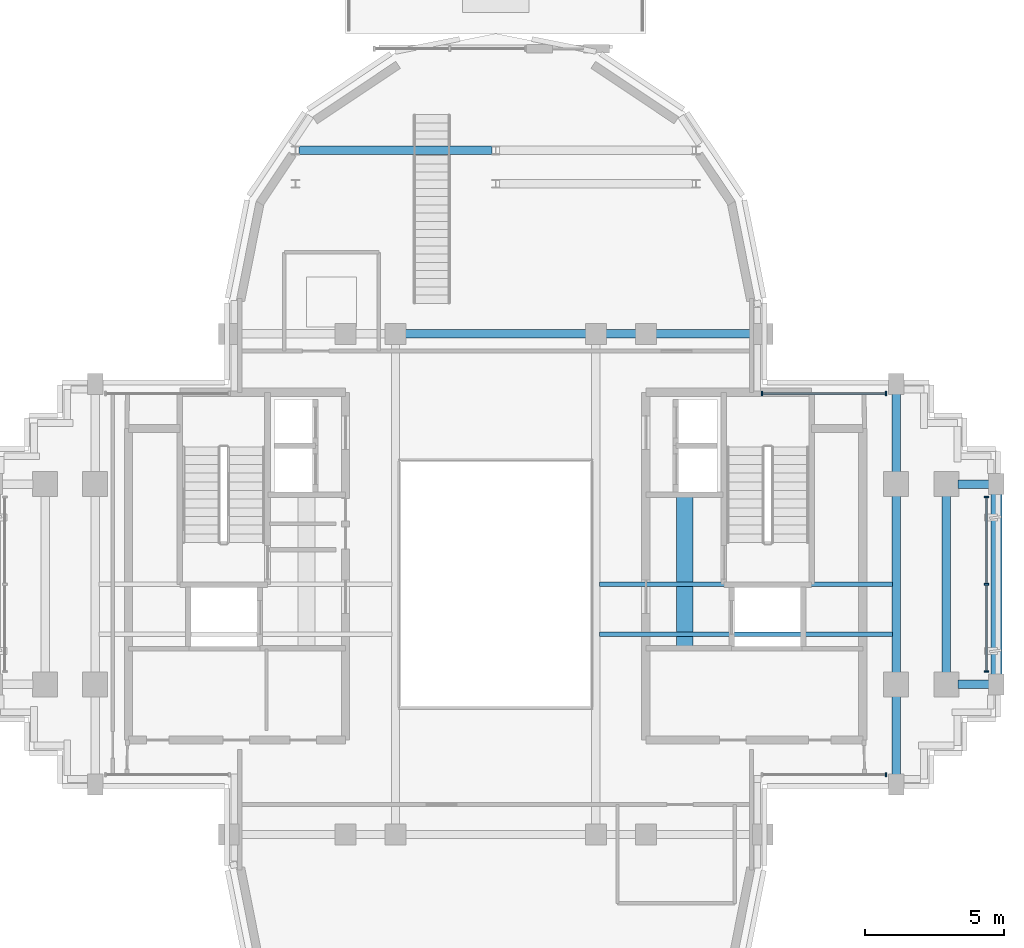
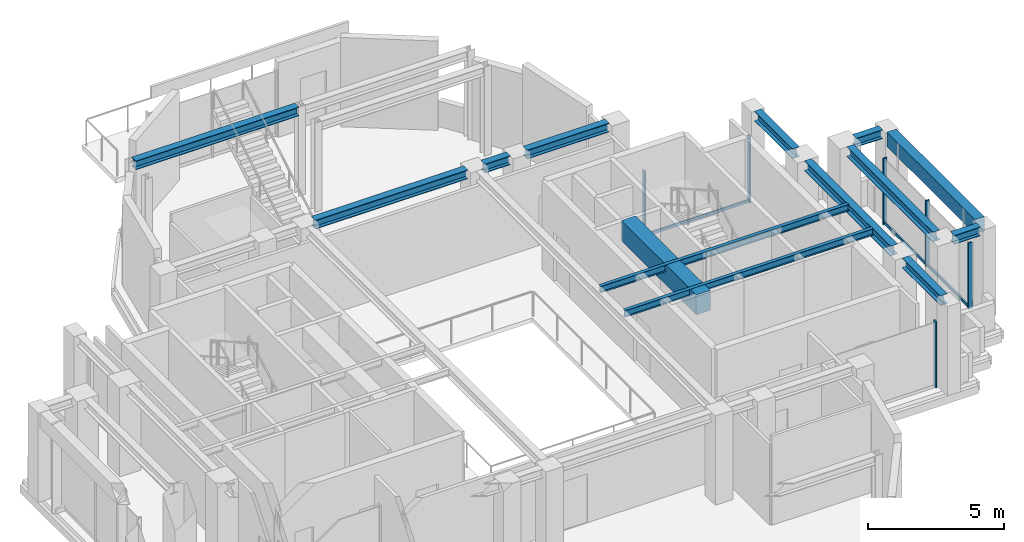
# One storey, part 5 of 14: 14 beams, 9 members, 3 elements without a shape of their own.
"""IFC4 building model written with IfcOpenShell, lengths in metres."""

from ifc_helpers import new_model, si_unit, direction, frame, origin, origin_2d, place, context, subcontext, project, spatial, rectangle, i_section, extrude, source, transform, mapped, material, material_profile, profile_set, type_object, element, aggregate, save


model = new_model("IFC4")

# Units and contexts
model_context = context("Model", 3, precision=1e-05, world=origin(), true_north=direction((0.0, 1.0)))
body_context = subcontext(model_context, "Body", "Model", "MODEL_VIEW")
ifc_project = project(units=[si_unit("LENGTHUNIT", "METRE"), si_unit("AREAUNIT", "SQUARE_METRE"), si_unit("VOLUMEUNIT", "CUBIC_METRE"), si_unit("PLANEANGLEUNIT", "RADIAN"), si_unit("MASSUNIT", "GRAM", prefix="KILO")], contexts=[model_context])

# Site, building, storey
site_placement = place(None, origin())
site = spatial("IfcSite", under=ifc_project, at=site_placement, CompositionType="ELEMENT")
building_placement = place(site_placement, origin())
building = spatial("IfcBuilding", under=site, at=building_placement, Name="Keilestroom Media Tower", CompositionType="ELEMENT")
storey_placement = place(building_placement, frame((0.0, 0.0, 219.39990234375)))
storey = spatial("IfcBuildingStorey", under=building, at=storey_placement, Name="L60", CompositionType="ELEMENT", Elevation=219.39990234375)

# Beams
ifc_material_1 = material(Name="Concrete C70/85", Category="concrete")
ifc_material_profile_1 = material_profile(ifc_material_1, rectangle(XDim=0.60009765625, YDim=0.89990234375, at=origin_2d()), Name="RC 600x900")
ifc_profile_set_1 = profile_set([ifc_material_profile_1], Name="Concrete C70/85")
beam_type_1 = type_object("IfcBeamType", Name="Core-Coupling-Lintel-Beam-RC-600x900", PredefinedType="LINTEL", material=ifc_profile_set_1)
shared_shape_1 = source(origin(), body_context, "Body", "SweptSolid", [
    extrude(rectangle(XDim=0.60009765625, YDim=0.89990234375, at=origin_2d()), origin(), (0.0, 0.0, 1.0), 5.52001953125),
])
beam_1_placement = place(storey_placement, frame((6.800048828125, -2.300048828125, 3.56005859375), z_axis=(0.0, 1.0, 0.0), x_axis=(-1.0, 0.0, 0.0)))
element("IfcBeam", 1, at=beam_1_placement, inside=storey, type_object=beam_type_1, Name="L60 Beam CLB-1 CLB-L60-E", PredefinedType="LINTEL", context=body_context, shape_type="MappedRepresentation", body=[
    mapped(shared_shape_1, transform((0.0, 0.0, 0.0), x_axis=(1.0, 0.0, 0.0), y_axis=(0.0, 1.0, 0.0), z_axis=(0.0, 0.0, 1.0), scale=1.0)),
])
ifc_material_2 = material(Name="Steel S355", Category="steel")
ifc_material_profile_2 = material_profile(ifc_material_2, i_section(OverallWidth=0.300048828125, OverallDepth=0.39990234375, WebThickness=0.011474609375, FlangeThickness=0.02392578125, at=origin_2d()), Name="HEB 400")
ifc_profile_set_2 = profile_set([ifc_material_profile_2], Name="Steel S355")
beam_type_2 = type_object("IfcBeamType", Name="Primary-Structural-Girder-HEB-400", PredefinedType="BEAM", material=ifc_profile_set_2)
shared_shape_2 = source(origin(), body_context, "Body", "SweptSolid", [
    extrude(i_section(OverallWidth=0.300048828125, OverallDepth=0.39990234375, WebThickness=0.011474609375, FlangeThickness=0.02392578125, at=origin_2d()), origin(), (0.0, 0.0, 1.0), 6.940185546875),
])
beam_2_placement = place(storey_placement, frame((-7.070068359375, 15.60009765625, 3.81005859375), z_axis=(1.0, 0.0, 0.0), x_axis=(0.0, 1.0, 0.0)))
element("IfcBeam", 2, at=beam_2_placement, inside=storey, type_object=beam_type_2, Name="L60 Beam BG-8 BM-L60-EW-023", PredefinedType="BEAM", context=body_context, shape_type="MappedRepresentation", body=[
    mapped(shared_shape_2, transform((0.0, 0.0, 0.0), x_axis=(1.0, 0.0, 0.0), y_axis=(0.0, 1.0, 0.0), z_axis=(0.0, 0.0, 1.0), scale=1.0)),
])
shared_shape_3 = source(origin(), body_context, "Body", "SweptSolid", [
    extrude(i_section(OverallWidth=0.300048828125, OverallDepth=0.39990234375, WebThickness=0.011474609375, FlangeThickness=0.02392578125, at=origin_2d()), origin(), (0.0, 0.0, 1.0), 3.490234375),
])
beam_3_placement = place(storey_placement, frame((5.7548828125, 9.0, 3.81005859375), z_axis=(1.0, 0.0, 0.0), x_axis=(0.0, 1.0, 0.0)))
element("IfcBeam", 3, at=beam_3_placement, inside=storey, type_object=beam_type_2, Name="L60 Beam BG-8 BM-L60-EW-020", PredefinedType="BEAM", context=body_context, shape_type="MappedRepresentation", body=[
    mapped(shared_shape_3, transform((0.0, 0.0, 0.0), x_axis=(1.0, 0.0, 0.0), y_axis=(0.0, 1.0, 0.0), z_axis=(0.0, 0.0, 1.0), scale=1.0)),
])
shared_shape_4 = source(origin(), body_context, "Body", "SweptSolid", [
    extrude(i_section(OverallWidth=0.300048828125, OverallDepth=0.39990234375, WebThickness=0.011474609375, FlangeThickness=0.02392578125, at=origin_2d()), origin(), (0.0, 0.0, 1.0), 1.08984375),
])
beam_4_placement = place(storey_placement, frame((3.955078125, 9.0, 3.81005859375), z_axis=(1.0, 0.0, 0.0), x_axis=(0.0, 1.0, 0.0)))
element("IfcBeam", 4, at=beam_4_placement, inside=storey, type_object=beam_type_2, Name="L60 Beam BG-8 BM-L60-EW-019", PredefinedType="BEAM", context=body_context, shape_type="MappedRepresentation", body=[
    mapped(shared_shape_4, transform((0.0, 0.0, 0.0), x_axis=(1.0, 0.0, 0.0), y_axis=(0.0, 1.0, 0.0), z_axis=(0.0, 0.0, 1.0), scale=1.0)),
])
shared_shape_5 = source(origin(), body_context, "Body", "SweptSolid", [
    extrude(i_section(OverallWidth=0.300048828125, OverallDepth=0.39990234375, WebThickness=0.011474609375, FlangeThickness=0.02392578125, at=origin_2d()), origin(), (0.0, 0.0, 1.0), 6.490234375),
])
beam_5_placement = place(storey_placement, frame((-3.2451171875, 9.0, 3.81005859375), z_axis=(1.0, 0.0, 0.0), x_axis=(0.0, 1.0, 0.0)))
element("IfcBeam", 5, at=beam_5_placement, inside=storey, type_object=beam_type_2, Name="L60 Beam BG-8 BM-L60-EW-018", PredefinedType="BEAM", context=body_context, shape_type="MappedRepresentation", body=[
    mapped(shared_shape_5, transform((0.0, 0.0, 0.0), x_axis=(1.0, 0.0, 0.0), y_axis=(0.0, 1.0, 0.0), z_axis=(0.0, 0.0, 1.0), scale=1.0)),
])
shared_shape_6 = source(origin(), body_context, "Body", "SweptSolid", [
    extrude(i_section(OverallWidth=0.300048828125, OverallDepth=0.39990234375, WebThickness=0.011474609375, FlangeThickness=0.02392578125, at=origin_2d()), origin(), (0.0, 0.0, 1.0), 1.115234375),
])
for number, where, z_axis, x_axis, name in (
    (6, (16.6298828125, -3.60009765625, 3.81005859375), (1.0, 0.0, 0.0), (0.0, 1.0, 0.0), "L60 Beam BG-8 BM-L60-EW-011"),
    (7, (16.6298828125, 3.60009765625, 3.81005859375), (1.0, 0.0, 0.0), (0.0, 1.0, 0.0), "L60 Beam BG-8 BM-L60-EW-015"),
):
    element("IfcBeam", number, at=place(storey_placement, frame(where, z_axis=z_axis, x_axis=x_axis)), inside=storey, type_object=beam_type_2, Name=name, PredefinedType="BEAM", context=body_context, shape_type="MappedRepresentation", body=[
        mapped(shared_shape_6, transform((0.0, 0.0, 0.0), x_axis=(1.0, 0.0, 0.0), y_axis=(0.0, 1.0, 0.0), z_axis=(0.0, 0.0, 1.0), scale=1.0)),
    ])
ifc_material_3 = material(Name="Precast concrete C40/50", Category="concrete")
ifc_material_profile_3 = material_profile(ifc_material_3, rectangle(XDim=0.39990234375, YDim=0.64990234375, at=origin_2d()), Name="PC 400x650")
ifc_profile_set_3 = profile_set([ifc_material_profile_3], Name="Precast concrete C40/50")
beam_type_3 = type_object("IfcBeamType", Name="Perimeter-Spandrel-Beam-PC-400x650", PredefinedType="SPANDREL", material=ifc_profile_set_3)
shared_shape_7 = source(origin(), body_context, "Body", "SweptSolid", [
    extrude(rectangle(XDim=0.39990234375, YDim=0.64990234375, at=origin_2d()), origin(), (0.0, 0.0, 1.0), 6.490234375),
])
beam_6_placement = place(storey_placement, frame((18.0, -3.2451171875, 3.68505859375), z_axis=(0.0, 1.0, 0.0), x_axis=(-1.0, 0.0, 0.0)))
element("IfcBeam", 8, at=beam_6_placement, inside=storey, type_object=beam_type_3, Name="L60 Beam SPB-2 BM-L60-NS-044", PredefinedType="SPANDREL", context=body_context, shape_type="MappedRepresentation", body=[
    mapped(shared_shape_7, transform((0.0, 0.0, 0.0), x_axis=(1.0, 0.0, 0.0), y_axis=(0.0, 1.0, 0.0), z_axis=(0.0, 0.0, 1.0), scale=1.0)),
])
ifc_material_profile_4 = material_profile(ifc_material_2, i_section(OverallWidth=0.300048828125, OverallDepth=0.43994140625, WebThickness=0.011474609375, FlangeThickness=0.02099609375, at=origin_2d()), Name="HEA 450")
ifc_profile_set_4 = profile_set([ifc_material_profile_4], Name="Steel S355")
beam_type_4 = type_object("IfcBeamType", Name="Primary-Structural-Girder-HEA-450", PredefinedType="BEAM", material=ifc_profile_set_4)
shared_shape_8 = source(origin(), body_context, "Body", "SweptSolid", [
    extrude(i_section(OverallWidth=0.300048828125, OverallDepth=0.43994140625, WebThickness=0.011474609375, FlangeThickness=0.02099609375, at=origin_2d()), origin(), (0.0, 0.0, 1.0), 6.33984375),
])
for number, where, z_axis, x_axis, name in (
    (9, (14.39990234375, -3.169921875, 3.7900390625), (0.0, 1.0, 0.0), (-1.0, 0.0, 0.0), "L60 Beam BG-11 BM-L60-NS-041"),
    (10, (16.199951171875, -3.169921875, 3.7900390625), (0.0, 1.0, 0.0), (-1.0, 0.0, 0.0), "L60 Beam BG-11 BM-L60-NS-043"),
):
    element("IfcBeam", number, at=place(storey_placement, frame(where, z_axis=z_axis, x_axis=x_axis)), inside=storey, type_object=beam_type_4, Name=name, PredefinedType="BEAM", context=body_context, shape_type="MappedRepresentation", body=[
        mapped(shared_shape_8, transform((0.0, 0.0, 0.0), x_axis=(1.0, 0.0, 0.0), y_axis=(0.0, 1.0, 0.0), z_axis=(0.0, 0.0, 1.0), scale=1.0)),
    ])
shared_shape_9 = source(origin(), body_context, "Body", "SweptSolid", [
    extrude(i_section(OverallWidth=0.300048828125, OverallDepth=0.43994140625, WebThickness=0.011474609375, FlangeThickness=0.02099609375, at=origin_2d()), origin(), (0.0, 0.0, 1.0), 2.81494140625),
])
for number, where, z_axis, x_axis, name in (
    (11, (14.39990234375, -6.844970703125, 3.7900390625), (0.0, 1.0, 0.0), (-1.0, 0.0, 0.0), "L60 Beam BG-11 BM-L60-NS-040"),
    (12, (14.39990234375, 4.030029296875, 3.7900390625), (0.0, 1.0, 0.0), (-1.0, 0.0, 0.0), "L60 Beam BG-11 BM-L60-NS-042"),
):
    element("IfcBeam", number, at=place(storey_placement, frame(where, z_axis=z_axis, x_axis=x_axis)), inside=storey, type_object=beam_type_4, Name=name, PredefinedType="BEAM", context=body_context, shape_type="MappedRepresentation", body=[
        mapped(shared_shape_9, transform((0.0, 0.0, 0.0), x_axis=(1.0, 0.0, 0.0), y_axis=(0.0, 1.0, 0.0), z_axis=(0.0, 0.0, 1.0), scale=1.0)),
    ])
ifc_material_profile_5 = material_profile(ifc_material_2, i_section(OverallWidth=0.14990234375, OverallDepth=0.300048828125, WebThickness=0.007080078125, FlangeThickness=0.0107421875, at=origin_2d()), Name="IPE 300")
ifc_profile_set_5 = profile_set([ifc_material_profile_5], Name="Steel S355")
beam_type_5 = type_object("IfcBeamType", Name="Secondary-Floor-Joist-IPE-300", PredefinedType="JOIST", material=ifc_profile_set_5)
shared_shape_10 = source(origin(), body_context, "Body", "SweptSolid", [
    extrude(i_section(OverallWidth=0.14990234375, OverallDepth=0.300048828125, WebThickness=0.007080078125, FlangeThickness=0.0107421875, at=origin_2d()), origin(), (0.0, 0.0, 1.0), 10.5400390625),
])
for number, where, z_axis, x_axis, name in (
    (13, (3.72998046875, -1.800048828125, 3.860107421875), (1.0, 0.0, 0.0), (0.0, 1.0, 0.0), "L60 Beam BJ-7 JST-L60-047"),
    (14, (3.72998046875, 0.0, 3.860107421875), (1.0, 0.0, 0.0), (0.0, 1.0, 0.0), "L60 Beam BJ-7 JST-L60-050"),
):
    element("IfcBeam", number, at=place(storey_placement, frame(where, z_axis=z_axis, x_axis=x_axis)), inside=storey, type_object=beam_type_5, Name=name, PredefinedType="JOIST", context=body_context, shape_type="MappedRepresentation", body=[
        mapped(shared_shape_10, transform((0.0, 0.0, 0.0), x_axis=(1.0, 0.0, 0.0), y_axis=(0.0, 1.0, 0.0), z_axis=(0.0, 0.0, 1.0), scale=1.0)),
    ])

# Curtain wall, members
ifc_material_4 = material(Name="Anodised Aluminium Alloy", Category="aluminium")
curtain_wall_type = type_object("IfcCurtainWallType", Name="Unitised-Curtain-Wall-CW-4", PredefinedType="NOTDEFINED", material=ifc_material_4)
curtain_wall_1_placement = place(storey_placement, origin())
curtain_wall_1 = element("IfcCurtainWall", 15, at=curtain_wall_1_placement, inside=storey, type_object=curtain_wall_type, Name="L60 Curtain Wall CW-4 CW-L60-E-1", PredefinedType="NOTDEFINED")
ifc_material_profile_6 = material_profile(ifc_material_4, rectangle(XDim=0.06005859375, YDim=0.159912109375, at=origin_2d()), Name="ALU MULLION 60x160")
ifc_profile_set_6 = profile_set([ifc_material_profile_6], Name="Anodised Aluminium Alloy")
member_type_1 = type_object("IfcMemberType", Name="Curtain-Wall-Mullion-CW-4", PredefinedType="MULLION", material=ifc_profile_set_6)
shared_shape_11 = source(origin(), body_context, "Body", "SweptSolid", [
    extrude(rectangle(XDim=0.06005859375, YDim=0.159912109375, at=origin_2d()), origin(), (0.0, 0.0, 1.0), 2.97998046875),
])
member_1_placement = place(storey_placement, frame((17.64990234375, -3.135009765625, 0.0), z_axis=(0.0, 0.0, 1.0), x_axis=(0.0, 1.0, 0.0)))
member_1 = element("IfcMember", 16, at=member_1_placement, type_object=member_type_1, Name="CW-4 Mullion 00", PredefinedType="MULLION", context=body_context, shape_type="MappedRepresentation", body=[
    mapped(shared_shape_11, transform((0.0, 0.0, 0.0), x_axis=(1.0, 0.0, 0.0), y_axis=(0.0, 1.0, 0.0), z_axis=(0.0, 0.0, 1.0), scale=1.0)),
])
member_2_placement = place(storey_placement, frame((17.64990234375, 0.0, 0.0), z_axis=(0.0, 0.0, 1.0), x_axis=(0.0, 1.0, 0.0)))
member_2 = element("IfcMember", 17, at=member_2_placement, type_object=member_type_1, Name="CW-4 Mullion 01", PredefinedType="MULLION", context=body_context, shape_type="MappedRepresentation", body=[
    mapped(shared_shape_11, transform((0.0, 0.0, 0.0), x_axis=(1.0, 0.0, 0.0), y_axis=(0.0, 1.0, 0.0), z_axis=(0.0, 0.0, 1.0), scale=1.0)),
])
member_3_placement = place(storey_placement, frame((17.64990234375, 3.135009765625, 0.0), z_axis=(0.0, 0.0, 1.0), x_axis=(0.0, 1.0, 0.0)))
member_3 = element("IfcMember", 18, at=member_3_placement, type_object=member_type_1, Name="CW-4 Mullion 02", PredefinedType="MULLION", context=body_context, shape_type="MappedRepresentation", body=[
    mapped(shared_shape_11, transform((0.0, 0.0, 0.0), x_axis=(1.0, 0.0, 0.0), y_axis=(0.0, 1.0, 0.0), z_axis=(0.0, 0.0, 1.0), scale=1.0)),
])

curtain_wall_2_placement = place(storey_placement, origin())
curtain_wall_2 = element("IfcCurtainWall", 19, at=curtain_wall_2_placement, inside=storey, type_object=curtain_wall_type, Name="L60 Curtain Wall CW-4 CW-L60-NE-1", PredefinedType="NOTDEFINED")
member_4_placement = place(storey_placement, frame((9.580078125, 6.85009765625, 0.0), z_axis=(0.0, 0.0, 1.0), x_axis=(1.0, 0.0, 0.0)))
member_4 = element("IfcMember", 20, at=member_4_placement, type_object=member_type_1, Name="CW-4 Mullion 00", PredefinedType="MULLION", context=body_context, shape_type="MappedRepresentation", body=[
    mapped(shared_shape_11, transform((0.0, 0.0, 0.0), x_axis=(1.0, 0.0, 0.0), y_axis=(0.0, 1.0, 0.0), z_axis=(0.0, 0.0, 1.0), scale=1.0)),
])
member_5_placement = place(storey_placement, frame((14.034912109375, 6.85009765625, 0.0), z_axis=(0.0, 0.0, 1.0), x_axis=(1.0, 0.0, 0.0)))
member_5 = element("IfcMember", 21, at=member_5_placement, type_object=member_type_1, Name="CW-4 Mullion 01", PredefinedType="MULLION", context=body_context, shape_type="MappedRepresentation", body=[
    mapped(shared_shape_11, transform((0.0, 0.0, 0.0), x_axis=(1.0, 0.0, 0.0), y_axis=(0.0, 1.0, 0.0), z_axis=(0.0, 0.0, 1.0), scale=1.0)),
])

# Curtain wall, member
curtain_wall_3_placement = place(storey_placement, origin())
curtain_wall_3 = element("IfcCurtainWall", 22, at=curtain_wall_3_placement, inside=storey, type_object=curtain_wall_type, Name="L60 Curtain Wall CW-4 CW-L60-SE-1", PredefinedType="NOTDEFINED")
member_6_placement = place(storey_placement, frame((14.034912109375, -6.85009765625, 0.0), z_axis=(0.0, 0.0, 1.0), x_axis=(1.0, 0.0, 0.0)))
member_6 = element("IfcMember", 23, at=member_6_placement, type_object=member_type_1, Name="CW-4 Mullion 01", PredefinedType="MULLION", context=body_context, shape_type="MappedRepresentation", body=[
    mapped(shared_shape_11, transform((0.0, 0.0, 0.0), x_axis=(1.0, 0.0, 0.0), y_axis=(0.0, 1.0, 0.0), z_axis=(0.0, 0.0, 1.0), scale=1.0)),
])
aggregate(curtain_wall_3, [member_6])

# Member
ifc_material_profile_7 = material_profile(ifc_material_4, rectangle(XDim=0.06005859375, YDim=0.1298828125, at=origin_2d()), Name="ALU TRANSOM 60x130")
ifc_profile_set_7 = profile_set([ifc_material_profile_7], Name="Anodised Aluminium Alloy")
member_type_2 = type_object("IfcMemberType", Name="Curtain-Wall-Transom-CW-4", PredefinedType="USERDEFINED", material=ifc_profile_set_7)
shared_shape_12 = source(origin(), body_context, "Body", "SweptSolid", [
    extrude(rectangle(XDim=0.06005859375, YDim=0.1298828125, at=origin_2d()), origin(), (0.0, 0.0, 1.0), 3.078857421875),
])
member_7_placement = place(storey_placement, frame((17.64990234375, -3.10693359375, 0.065185546875), z_axis=(0.0, 1.0, 0.0), x_axis=(-1.0, 0.0, 0.0)))
member_7 = element("IfcMember", 24, at=member_7_placement, type_object=member_type_2, Name="CW-4 Transom 00.1", ObjectType="TRANSOM", PredefinedType="USERDEFINED", context=body_context, shape_type="MappedRepresentation", body=[
    mapped(shared_shape_12, transform((0.0, 0.0, 0.0), x_axis=(1.0, 0.0, 0.0), y_axis=(0.0, 1.0, 0.0), z_axis=(0.0, 0.0, 1.0), scale=1.0)),
])

member_8_placement = place(storey_placement, frame((17.64990234375, 0.028076171875, 0.065185546875), z_axis=(0.0, 1.0, 0.0), x_axis=(-1.0, 0.0, 0.0)))
member_8 = element("IfcMember", 25, at=member_8_placement, type_object=member_type_2, Name="CW-4 Transom 01.1", ObjectType="TRANSOM", PredefinedType="USERDEFINED", context=body_context, shape_type="MappedRepresentation", body=[
    mapped(shared_shape_12, transform((0.0, 0.0, 0.0), x_axis=(1.0, 0.0, 0.0), y_axis=(0.0, 1.0, 0.0), z_axis=(0.0, 0.0, 1.0), scale=1.0)),
])

aggregate(curtain_wall_1, [member_1, member_2, member_3, member_7, member_8])

shared_shape_13 = source(origin(), body_context, "Body", "SweptSolid", [
    extrude(rectangle(XDim=0.06005859375, YDim=0.1298828125, at=origin_2d()), origin(), (0.0, 0.0, 1.0), 4.399169921875),
])
member_9_placement = place(storey_placement, frame((9.60791015625, 6.85009765625, 0.065185546875), z_axis=(1.0, 0.0, 0.0), x_axis=(0.0, 1.0, 0.0)))
member_9 = element("IfcMember", 26, at=member_9_placement, type_object=member_type_2, Name="CW-4 Transom 00.1", ObjectType="TRANSOM", PredefinedType="USERDEFINED", context=body_context, shape_type="MappedRepresentation", body=[
    mapped(shared_shape_13, transform((0.0, 0.0, 0.0), x_axis=(1.0, 0.0, 0.0), y_axis=(0.0, 1.0, 0.0), z_axis=(0.0, 0.0, 1.0), scale=1.0)),
])

aggregate(curtain_wall_2, [member_4, member_5, member_9])

save(model, "model.ifc")
